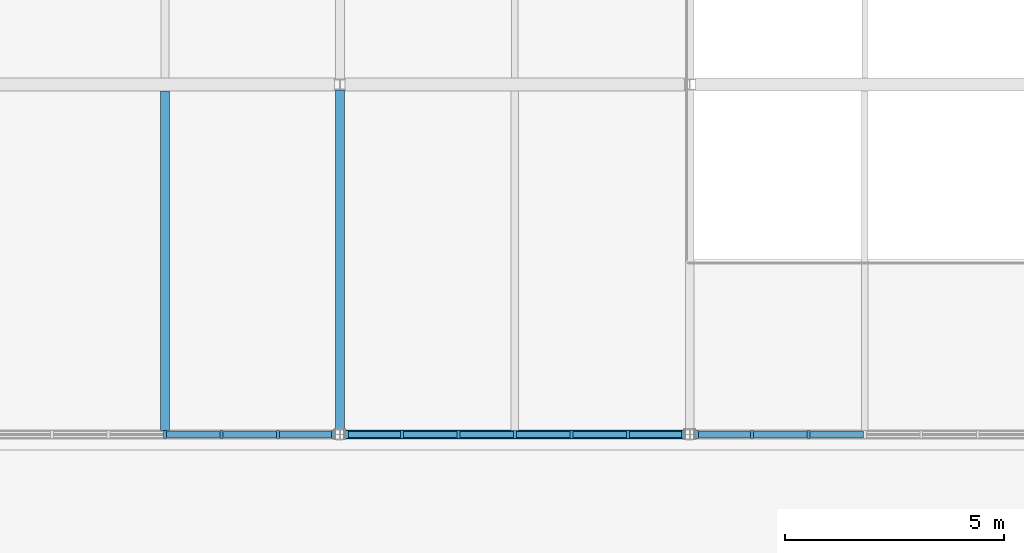
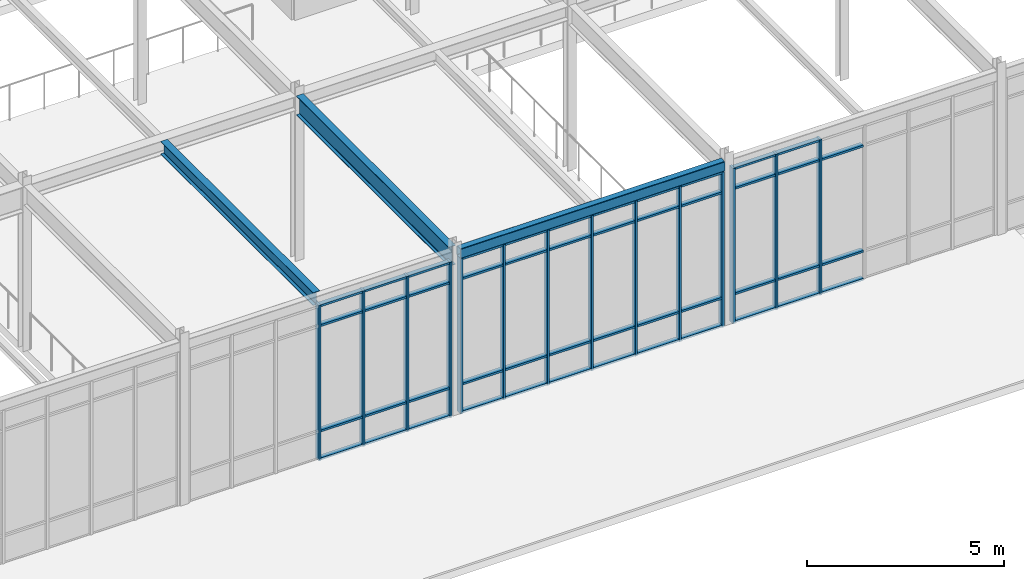
# One storey, part 47 of 184: 61 members, 3 beams, 3 elements without a shape of their own.
"""IFC4 building model written with IfcOpenShell, lengths in metres."""

from ifc_helpers import new_model, si_unit, direction, frame, origin, origin_2d, place, context, subcontext, project, spatial, rectangle, hollow_rectangle, i_section, extrude, material, material_profile, profile_set, type_object, element, aggregate, save


model = new_model("IFC4")

# Units and contexts
model_context = context("Model", 3, precision=1e-05, world=origin(), true_north=direction((0.0, 1.0)))
body_context = subcontext(model_context, "Body", "Model", "MODEL_VIEW")
ifc_project = project(units=[si_unit("LENGTHUNIT", "METRE"), si_unit("AREAUNIT", "SQUARE_METRE"), si_unit("VOLUMEUNIT", "CUBIC_METRE"), si_unit("PLANEANGLEUNIT", "RADIAN"), si_unit("MASSUNIT", "GRAM", prefix="KILO")], contexts=[model_context])

# Site, building, storey
site_placement = place(None, origin())
site = spatial("IfcSite", under=ifc_project, at=site_placement, CompositionType="ELEMENT")
building_placement = place(site_placement, origin())
building = spatial("IfcBuilding", under=site, at=building_placement, Name="Zhaolan Boulevard Law Courts", CompositionType="ELEMENT")
storey_placement = place(building_placement, frame((0.0, 0.0, 5.39990234375)))
storey = spatial("IfcBuildingStorey", under=building, at=storey_placement, Name="L01", CompositionType="ELEMENT", Elevation=5.39990234375)

# Curtain wall, members
ifc_material_1 = material(Name="Thermally broken aluminium and low-E glazing", Category="aluminium")
curtain_wall_type_1 = type_object("IfcCurtainWallType", Name="CURTAIN WALL M13", PredefinedType="USERDEFINED", material=ifc_material_1)
curtain_wall_1_placement = place(storey_placement, origin())
curtain_wall_1 = element("IfcCurtainWall", 1, at=curtain_wall_1_placement, inside=storey, type_object=curtain_wall_type_1, Name="Curtain Wall CW-L01-037", ObjectType="CURTAIN WALL", PredefinedType="USERDEFINED")
ifc_material_2 = material(Name="Fluorocarbon-coated aluminium 6063-T6", Category="aluminium")
ifc_material_profile_1 = material_profile(ifc_material_2, rectangle(XDim=0.179931640625, YDim=0.06494140625, at=origin_2d()), Name="AL65x180")
ifc_profile_set_1 = profile_set([ifc_material_profile_1], Name="Fluorocarbon-coated aluminium 6063-T6")
member_type_1 = type_object("IfcMemberType", Name="CWMULLION 65X180", PredefinedType="MULLION", material=ifc_profile_set_1)
member_1_placement = place(storey_placement, frame((80.0, 6.0, 0.0), z_axis=(0.0, 0.0, 1.0), x_axis=(0.0, 1.0, 0.0)))
member_1 = element("IfcMember", 2, at=member_1_placement, type_object=member_type_1, Name="CW-L01-037 mullion 4", PredefinedType="MULLION", context=body_context, shape_type="SweptSolid", body=[
    extrude(rectangle(XDim=0.179931640625, YDim=0.06494140625, at=origin_2d()), origin(), (0.0, 0.0, 1.0), 4.822998046875),
])
member_2_placement = place(storey_placement, frame((81.291015625, 6.0, 0.0), z_axis=(0.0, 0.0, 1.0), x_axis=(0.0, 1.0, 0.0)))
member_2 = element("IfcMember", 3, at=member_2_placement, type_object=member_type_1, Name="CW-L01-037 mullion 5", PredefinedType="MULLION", context=body_context, shape_type="SweptSolid", body=[
    extrude(rectangle(XDim=0.179931640625, YDim=0.06494140625, at=origin_2d()), origin(), (0.0, 0.0, 1.0), 4.822998046875),
])
member_3_placement = place(storey_placement, frame((82.58203125, 6.0, 0.0), z_axis=(0.0, 0.0, 1.0), x_axis=(0.0, 1.0, 0.0)))
member_3 = element("IfcMember", 4, at=member_3_placement, type_object=member_type_1, Name="CW-L01-037 mullion 6", PredefinedType="MULLION", context=body_context, shape_type="SweptSolid", body=[
    extrude(rectangle(XDim=0.179931640625, YDim=0.06494140625, at=origin_2d()), origin(), (0.0, 0.0, 1.0), 4.822998046875),
])
member_4_placement = place(storey_placement, frame((83.840576171875, 6.0, 0.0), z_axis=(0.0, 0.0, 1.0), x_axis=(0.0, 1.0, 0.0)))
member_4 = element("IfcMember", 5, at=member_4_placement, type_object=member_type_1, Name="CW-L01-037 mullion 7", PredefinedType="MULLION", context=body_context, shape_type="SweptSolid", body=[
    extrude(rectangle(XDim=0.179931640625, YDim=0.06494140625, at=origin_2d()), origin(), (0.0, 0.0, 1.0), 4.822998046875),
])

ifc_material_3 = material(Name="Thermally broken aluminium and low-E glazing", Category="aluminium")
curtain_wall_type_2 = type_object("IfcCurtainWallType", Name="CURTAIN WALL M14", PredefinedType="USERDEFINED", material=ifc_material_3)
curtain_wall_2_placement = place(storey_placement, origin())
curtain_wall_2 = element("IfcCurtainWall", 6, at=curtain_wall_2_placement, inside=storey, type_object=curtain_wall_type_2, Name="Curtain Wall CW-L01-038", ObjectType="CURTAIN WALL", PredefinedType="USERDEFINED")
member_5_placement = place(storey_placement, frame((84.159423828125, 6.0, 0.0), z_axis=(0.0, 0.0, 1.0), x_axis=(0.0, 1.0, 0.0)))
member_5 = element("IfcMember", 7, at=member_5_placement, type_object=member_type_1, Name="CW-L01-038 mullion 1", PredefinedType="MULLION", context=body_context, shape_type="SweptSolid", body=[
    extrude(rectangle(XDim=0.179931640625, YDim=0.06494140625, at=origin_2d()), origin(), (0.0, 0.0, 1.0), 4.822998046875),
])
member_6_placement = place(storey_placement, frame((85.41796875, 6.0, 0.0), z_axis=(0.0, 0.0, 1.0), x_axis=(0.0, 1.0, 0.0)))
member_6 = element("IfcMember", 8, at=member_6_placement, type_object=member_type_1, Name="CW-L01-038 mullion 2", PredefinedType="MULLION", context=body_context, shape_type="SweptSolid", body=[
    extrude(rectangle(XDim=0.179931640625, YDim=0.06494140625, at=origin_2d()), origin(), (0.0, 0.0, 1.0), 4.822998046875),
])
member_7_placement = place(storey_placement, frame((86.708984375, 6.0, 0.0), z_axis=(0.0, 0.0, 1.0), x_axis=(0.0, 1.0, 0.0)))
member_7 = element("IfcMember", 9, at=member_7_placement, type_object=member_type_1, Name="CW-L01-038 mullion 3", PredefinedType="MULLION", context=body_context, shape_type="SweptSolid", body=[
    extrude(rectangle(XDim=0.179931640625, YDim=0.06494140625, at=origin_2d()), origin(), (0.0, 0.0, 1.0), 4.822998046875),
])
member_8_placement = place(storey_placement, frame((88.0, 6.0, 0.0), z_axis=(0.0, 0.0, 1.0), x_axis=(0.0, 1.0, 0.0)))
member_8 = element("IfcMember", 10, at=member_8_placement, type_object=member_type_1, Name="CW-L01-038 mullion 4", PredefinedType="MULLION", context=body_context, shape_type="SweptSolid", body=[
    extrude(rectangle(XDim=0.179931640625, YDim=0.06494140625, at=origin_2d()), origin(), (0.0, 0.0, 1.0), 4.822998046875),
])
member_9_placement = place(storey_placement, frame((89.291015625, 6.0, 0.0), z_axis=(0.0, 0.0, 1.0), x_axis=(0.0, 1.0, 0.0)))
member_9 = element("IfcMember", 11, at=member_9_placement, type_object=member_type_1, Name="CW-L01-038 mullion 5", PredefinedType="MULLION", context=body_context, shape_type="SweptSolid", body=[
    extrude(rectangle(XDim=0.179931640625, YDim=0.06494140625, at=origin_2d()), origin(), (0.0, 0.0, 1.0), 4.822998046875),
])
member_10_placement = place(storey_placement, frame((90.58203125, 6.0, 0.0), z_axis=(0.0, 0.0, 1.0), x_axis=(0.0, 1.0, 0.0)))
member_10 = element("IfcMember", 12, at=member_10_placement, type_object=member_type_1, Name="CW-L01-038 mullion 6", PredefinedType="MULLION", context=body_context, shape_type="SweptSolid", body=[
    extrude(rectangle(XDim=0.179931640625, YDim=0.06494140625, at=origin_2d()), origin(), (0.0, 0.0, 1.0), 4.822998046875),
])
member_11_placement = place(storey_placement, frame((91.840576171875, 6.0, 0.0), z_axis=(0.0, 0.0, 1.0), x_axis=(0.0, 1.0, 0.0)))
member_11 = element("IfcMember", 13, at=member_11_placement, type_object=member_type_1, Name="CW-L01-038 mullion 7", PredefinedType="MULLION", context=body_context, shape_type="SweptSolid", body=[
    extrude(rectangle(XDim=0.179931640625, YDim=0.06494140625, at=origin_2d()), origin(), (0.0, 0.0, 1.0), 4.822998046875),
])

ifc_material_4 = material(Name="Thermally broken aluminium and low-E glazing", Category="aluminium")
curtain_wall_type_3 = type_object("IfcCurtainWallType", Name="CURTAIN WALL M15", PredefinedType="USERDEFINED", material=ifc_material_4)
curtain_wall_3_placement = place(storey_placement, origin())
curtain_wall_3 = element("IfcCurtainWall", 14, at=curtain_wall_3_placement, inside=storey, type_object=curtain_wall_type_3, Name="Curtain Wall CW-L01-039", ObjectType="CURTAIN WALL", PredefinedType="USERDEFINED")
member_12_placement = place(storey_placement, frame((92.159423828125, 6.0, 0.0), z_axis=(0.0, 0.0, 1.0), x_axis=(0.0, 1.0, 0.0)))
member_12 = element("IfcMember", 15, at=member_12_placement, type_object=member_type_1, Name="CW-L01-039 mullion 1", PredefinedType="MULLION", context=body_context, shape_type="SweptSolid", body=[
    extrude(rectangle(XDim=0.179931640625, YDim=0.06494140625, at=origin_2d()), origin(), (0.0, 0.0, 1.0), 4.822998046875),
])
member_13_placement = place(storey_placement, frame((93.41796875, 6.0, 0.0), z_axis=(0.0, 0.0, 1.0), x_axis=(0.0, 1.0, 0.0)))
member_13 = element("IfcMember", 16, at=member_13_placement, type_object=member_type_1, Name="CW-L01-039 mullion 2", PredefinedType="MULLION", context=body_context, shape_type="SweptSolid", body=[
    extrude(rectangle(XDim=0.179931640625, YDim=0.06494140625, at=origin_2d()), origin(), (0.0, 0.0, 1.0), 4.822998046875),
])
member_14_placement = place(storey_placement, frame((94.708984375, 6.0, 0.0), z_axis=(0.0, 0.0, 1.0), x_axis=(0.0, 1.0, 0.0)))
member_14 = element("IfcMember", 17, at=member_14_placement, type_object=member_type_1, Name="CW-L01-039 mullion 3", PredefinedType="MULLION", context=body_context, shape_type="SweptSolid", body=[
    extrude(rectangle(XDim=0.179931640625, YDim=0.06494140625, at=origin_2d()), origin(), (0.0, 0.0, 1.0), 4.822998046875),
])

# Member
ifc_material_5 = material(Name="Fluorocarbon-coated aluminium 6063-T6", Category="aluminium")
ifc_material_profile_2 = material_profile(ifc_material_5, rectangle(XDim=0.139892578125, YDim=0.06494140625, at=origin_2d()), Name="AL65x140")
ifc_profile_set_2 = profile_set([ifc_material_profile_2], Name="Fluorocarbon-coated aluminium 6063-T6")
member_type_2 = type_object("IfcMemberType", Name="CWTRANSOM 65X140", PredefinedType="USERDEFINED", material=ifc_profile_set_2)
member_15_placement = place(storey_placement, frame((80.032470703125, 6.0, 0.03271484375), z_axis=(1.0, 0.0, 0.0), x_axis=(0.0, 1.0, 0.0)))
member_15 = element("IfcMember", 18, at=member_15_placement, type_object=member_type_2, Name="CW-L01-037 transom 4.1", ObjectType="TRANSOM", PredefinedType="USERDEFINED", context=body_context, shape_type="SweptSolid", body=[
    extrude(rectangle(XDim=0.139892578125, YDim=0.06494140625, at=origin_2d()), origin(), (0.0, 0.0, 1.0), 1.22607421875),
])

member_16_placement = place(storey_placement, frame((80.032470703125, 6.0, 0.900146484375), z_axis=(1.0, 0.0, 0.0), x_axis=(0.0, 1.0, 0.0)))
member_16 = element("IfcMember", 19, at=member_16_placement, type_object=member_type_2, Name="CW-L01-037 transom 4.2", ObjectType="TRANSOM", PredefinedType="USERDEFINED", context=body_context, shape_type="SweptSolid", body=[
    extrude(rectangle(XDim=0.139892578125, YDim=0.06494140625, at=origin_2d()), origin(), (0.0, 0.0, 1.0), 1.22607421875),
])

member_17_placement = place(storey_placement, frame((80.032470703125, 6.0, 4.173095703125), z_axis=(1.0, 0.0, 0.0), x_axis=(0.0, 1.0, 0.0)))
member_17 = element("IfcMember", 20, at=member_17_placement, type_object=member_type_2, Name="CW-L01-037 transom 4.3", ObjectType="TRANSOM", PredefinedType="USERDEFINED", context=body_context, shape_type="SweptSolid", body=[
    extrude(rectangle(XDim=0.139892578125, YDim=0.06494140625, at=origin_2d()), origin(), (0.0, 0.0, 1.0), 1.22607421875),
])

member_18_placement = place(storey_placement, frame((80.032470703125, 6.0, 4.79052734375), z_axis=(1.0, 0.0, 0.0), x_axis=(0.0, 1.0, 0.0)))
member_18 = element("IfcMember", 21, at=member_18_placement, type_object=member_type_2, Name="CW-L01-037 transom 4.4", ObjectType="TRANSOM", PredefinedType="USERDEFINED", context=body_context, shape_type="SweptSolid", body=[
    extrude(rectangle(XDim=0.139892578125, YDim=0.06494140625, at=origin_2d()), origin(), (0.0, 0.0, 1.0), 1.22607421875),
])

member_19_placement = place(storey_placement, frame((81.323486328125, 6.0, 0.03271484375), z_axis=(1.0, 0.0, 0.0), x_axis=(0.0, 1.0, 0.0)))
member_19 = element("IfcMember", 22, at=member_19_placement, type_object=member_type_2, Name="CW-L01-037 transom 5.1", ObjectType="TRANSOM", PredefinedType="USERDEFINED", context=body_context, shape_type="SweptSolid", body=[
    extrude(rectangle(XDim=0.139892578125, YDim=0.06494140625, at=origin_2d()), origin(), (0.0, 0.0, 1.0), 1.22607421875),
])

member_20_placement = place(storey_placement, frame((81.323486328125, 6.0, 0.900146484375), z_axis=(1.0, 0.0, 0.0), x_axis=(0.0, 1.0, 0.0)))
member_20 = element("IfcMember", 23, at=member_20_placement, type_object=member_type_2, Name="CW-L01-037 transom 5.2", ObjectType="TRANSOM", PredefinedType="USERDEFINED", context=body_context, shape_type="SweptSolid", body=[
    extrude(rectangle(XDim=0.139892578125, YDim=0.06494140625, at=origin_2d()), origin(), (0.0, 0.0, 1.0), 1.22607421875),
])

member_21_placement = place(storey_placement, frame((81.323486328125, 6.0, 4.173095703125), z_axis=(1.0, 0.0, 0.0), x_axis=(0.0, 1.0, 0.0)))
member_21 = element("IfcMember", 24, at=member_21_placement, type_object=member_type_2, Name="CW-L01-037 transom 5.3", ObjectType="TRANSOM", PredefinedType="USERDEFINED", context=body_context, shape_type="SweptSolid", body=[
    extrude(rectangle(XDim=0.139892578125, YDim=0.06494140625, at=origin_2d()), origin(), (0.0, 0.0, 1.0), 1.22607421875),
])

member_22_placement = place(storey_placement, frame((81.323486328125, 6.0, 4.79052734375), z_axis=(1.0, 0.0, 0.0), x_axis=(0.0, 1.0, 0.0)))
member_22 = element("IfcMember", 25, at=member_22_placement, type_object=member_type_2, Name="CW-L01-037 transom 5.4", ObjectType="TRANSOM", PredefinedType="USERDEFINED", context=body_context, shape_type="SweptSolid", body=[
    extrude(rectangle(XDim=0.139892578125, YDim=0.06494140625, at=origin_2d()), origin(), (0.0, 0.0, 1.0), 1.22607421875),
])

member_23_placement = place(storey_placement, frame((82.614501953125, 6.0, 0.03271484375), z_axis=(1.0, 0.0, 0.0), x_axis=(0.0, 1.0, 0.0)))
member_23 = element("IfcMember", 26, at=member_23_placement, type_object=member_type_2, Name="CW-L01-037 transom 6.1", ObjectType="TRANSOM", PredefinedType="USERDEFINED", context=body_context, shape_type="SweptSolid", body=[
    extrude(rectangle(XDim=0.139892578125, YDim=0.06494140625, at=origin_2d()), origin(), (0.0, 0.0, 1.0), 1.193603515625),
])

member_24_placement = place(storey_placement, frame((82.614501953125, 6.0, 0.900146484375), z_axis=(1.0, 0.0, 0.0), x_axis=(0.0, 1.0, 0.0)))
member_24 = element("IfcMember", 27, at=member_24_placement, type_object=member_type_2, Name="CW-L01-037 transom 6.2", ObjectType="TRANSOM", PredefinedType="USERDEFINED", context=body_context, shape_type="SweptSolid", body=[
    extrude(rectangle(XDim=0.139892578125, YDim=0.06494140625, at=origin_2d()), origin(), (0.0, 0.0, 1.0), 1.193603515625),
])

member_25_placement = place(storey_placement, frame((82.614501953125, 6.0, 4.173095703125), z_axis=(1.0, 0.0, 0.0), x_axis=(0.0, 1.0, 0.0)))
member_25 = element("IfcMember", 28, at=member_25_placement, type_object=member_type_2, Name="CW-L01-037 transom 6.3", ObjectType="TRANSOM", PredefinedType="USERDEFINED", context=body_context, shape_type="SweptSolid", body=[
    extrude(rectangle(XDim=0.139892578125, YDim=0.06494140625, at=origin_2d()), origin(), (0.0, 0.0, 1.0), 1.193603515625),
])

member_26_placement = place(storey_placement, frame((82.614501953125, 6.0, 4.79052734375), z_axis=(1.0, 0.0, 0.0), x_axis=(0.0, 1.0, 0.0)))
member_26 = element("IfcMember", 29, at=member_26_placement, type_object=member_type_2, Name="CW-L01-037 transom 6.4", ObjectType="TRANSOM", PredefinedType="USERDEFINED", context=body_context, shape_type="SweptSolid", body=[
    extrude(rectangle(XDim=0.139892578125, YDim=0.06494140625, at=origin_2d()), origin(), (0.0, 0.0, 1.0), 1.193603515625),
])

aggregate(curtain_wall_1, [member_1, member_2, member_3, member_4, member_15, member_16, member_17, member_18, member_19, member_20, member_21, member_22, member_23, member_24, member_25, member_26])

member_27_placement = place(storey_placement, frame((84.19189453125, 6.0, 0.03271484375), z_axis=(1.0, 0.0, 0.0), x_axis=(0.0, 1.0, 0.0)))
member_27 = element("IfcMember", 30, at=member_27_placement, type_object=member_type_2, Name="CW-L01-038 transom 1.1", ObjectType="TRANSOM", PredefinedType="USERDEFINED", context=body_context, shape_type="SweptSolid", body=[
    extrude(rectangle(XDim=0.139892578125, YDim=0.06494140625, at=origin_2d()), origin(), (0.0, 0.0, 1.0), 1.193603515625),
])

member_28_placement = place(storey_placement, frame((84.19189453125, 6.0, 0.900146484375), z_axis=(1.0, 0.0, 0.0), x_axis=(0.0, 1.0, 0.0)))
member_28 = element("IfcMember", 31, at=member_28_placement, type_object=member_type_2, Name="CW-L01-038 transom 1.2", ObjectType="TRANSOM", PredefinedType="USERDEFINED", context=body_context, shape_type="SweptSolid", body=[
    extrude(rectangle(XDim=0.139892578125, YDim=0.06494140625, at=origin_2d()), origin(), (0.0, 0.0, 1.0), 1.193603515625),
])

member_29_placement = place(storey_placement, frame((84.19189453125, 6.0, 4.173095703125), z_axis=(1.0, 0.0, 0.0), x_axis=(0.0, 1.0, 0.0)))
member_29 = element("IfcMember", 32, at=member_29_placement, type_object=member_type_2, Name="CW-L01-038 transom 1.3", ObjectType="TRANSOM", PredefinedType="USERDEFINED", context=body_context, shape_type="SweptSolid", body=[
    extrude(rectangle(XDim=0.139892578125, YDim=0.06494140625, at=origin_2d()), origin(), (0.0, 0.0, 1.0), 1.193603515625),
])

member_30_placement = place(storey_placement, frame((84.19189453125, 6.0, 4.79052734375), z_axis=(1.0, 0.0, 0.0), x_axis=(0.0, 1.0, 0.0)))
member_30 = element("IfcMember", 33, at=member_30_placement, type_object=member_type_2, Name="CW-L01-038 transom 1.4", ObjectType="TRANSOM", PredefinedType="USERDEFINED", context=body_context, shape_type="SweptSolid", body=[
    extrude(rectangle(XDim=0.139892578125, YDim=0.06494140625, at=origin_2d()), origin(), (0.0, 0.0, 1.0), 1.193603515625),
])

member_31_placement = place(storey_placement, frame((85.450439453125, 6.0, 0.03271484375), z_axis=(1.0, 0.0, 0.0), x_axis=(0.0, 1.0, 0.0)))
member_31 = element("IfcMember", 34, at=member_31_placement, type_object=member_type_2, Name="CW-L01-038 transom 2.1", ObjectType="TRANSOM", PredefinedType="USERDEFINED", context=body_context, shape_type="SweptSolid", body=[
    extrude(rectangle(XDim=0.139892578125, YDim=0.06494140625, at=origin_2d()), origin(), (0.0, 0.0, 1.0), 1.22607421875),
])

member_32_placement = place(storey_placement, frame((85.450439453125, 6.0, 0.900146484375), z_axis=(1.0, 0.0, 0.0), x_axis=(0.0, 1.0, 0.0)))
member_32 = element("IfcMember", 35, at=member_32_placement, type_object=member_type_2, Name="CW-L01-038 transom 2.2", ObjectType="TRANSOM", PredefinedType="USERDEFINED", context=body_context, shape_type="SweptSolid", body=[
    extrude(rectangle(XDim=0.139892578125, YDim=0.06494140625, at=origin_2d()), origin(), (0.0, 0.0, 1.0), 1.22607421875),
])

member_33_placement = place(storey_placement, frame((85.450439453125, 6.0, 4.173095703125), z_axis=(1.0, 0.0, 0.0), x_axis=(0.0, 1.0, 0.0)))
member_33 = element("IfcMember", 36, at=member_33_placement, type_object=member_type_2, Name="CW-L01-038 transom 2.3", ObjectType="TRANSOM", PredefinedType="USERDEFINED", context=body_context, shape_type="SweptSolid", body=[
    extrude(rectangle(XDim=0.139892578125, YDim=0.06494140625, at=origin_2d()), origin(), (0.0, 0.0, 1.0), 1.22607421875),
])

member_34_placement = place(storey_placement, frame((85.450439453125, 6.0, 4.79052734375), z_axis=(1.0, 0.0, 0.0), x_axis=(0.0, 1.0, 0.0)))
member_34 = element("IfcMember", 37, at=member_34_placement, type_object=member_type_2, Name="CW-L01-038 transom 2.4", ObjectType="TRANSOM", PredefinedType="USERDEFINED", context=body_context, shape_type="SweptSolid", body=[
    extrude(rectangle(XDim=0.139892578125, YDim=0.06494140625, at=origin_2d()), origin(), (0.0, 0.0, 1.0), 1.22607421875),
])

member_35_placement = place(storey_placement, frame((86.741455078125, 6.0, 0.03271484375), z_axis=(1.0, 0.0, 0.0), x_axis=(0.0, 1.0, 0.0)))
member_35 = element("IfcMember", 38, at=member_35_placement, type_object=member_type_2, Name="CW-L01-038 transom 3.1", ObjectType="TRANSOM", PredefinedType="USERDEFINED", context=body_context, shape_type="SweptSolid", body=[
    extrude(rectangle(XDim=0.139892578125, YDim=0.06494140625, at=origin_2d()), origin(), (0.0, 0.0, 1.0), 1.22607421875),
])

member_36_placement = place(storey_placement, frame((86.741455078125, 6.0, 0.900146484375), z_axis=(1.0, 0.0, 0.0), x_axis=(0.0, 1.0, 0.0)))
member_36 = element("IfcMember", 39, at=member_36_placement, type_object=member_type_2, Name="CW-L01-038 transom 3.2", ObjectType="TRANSOM", PredefinedType="USERDEFINED", context=body_context, shape_type="SweptSolid", body=[
    extrude(rectangle(XDim=0.139892578125, YDim=0.06494140625, at=origin_2d()), origin(), (0.0, 0.0, 1.0), 1.22607421875),
])

member_37_placement = place(storey_placement, frame((86.741455078125, 6.0, 4.173095703125), z_axis=(1.0, 0.0, 0.0), x_axis=(0.0, 1.0, 0.0)))
member_37 = element("IfcMember", 40, at=member_37_placement, type_object=member_type_2, Name="CW-L01-038 transom 3.3", ObjectType="TRANSOM", PredefinedType="USERDEFINED", context=body_context, shape_type="SweptSolid", body=[
    extrude(rectangle(XDim=0.139892578125, YDim=0.06494140625, at=origin_2d()), origin(), (0.0, 0.0, 1.0), 1.22607421875),
])

member_38_placement = place(storey_placement, frame((86.741455078125, 6.0, 4.79052734375), z_axis=(1.0, 0.0, 0.0), x_axis=(0.0, 1.0, 0.0)))
member_38 = element("IfcMember", 41, at=member_38_placement, type_object=member_type_2, Name="CW-L01-038 transom 3.4", ObjectType="TRANSOM", PredefinedType="USERDEFINED", context=body_context, shape_type="SweptSolid", body=[
    extrude(rectangle(XDim=0.139892578125, YDim=0.06494140625, at=origin_2d()), origin(), (0.0, 0.0, 1.0), 1.22607421875),
])

member_39_placement = place(storey_placement, frame((88.032470703125, 6.0, 0.03271484375), z_axis=(1.0, 0.0, 0.0), x_axis=(0.0, 1.0, 0.0)))
member_39 = element("IfcMember", 42, at=member_39_placement, type_object=member_type_2, Name="CW-L01-038 transom 4.1", ObjectType="TRANSOM", PredefinedType="USERDEFINED", context=body_context, shape_type="SweptSolid", body=[
    extrude(rectangle(XDim=0.139892578125, YDim=0.06494140625, at=origin_2d()), origin(), (0.0, 0.0, 1.0), 1.22607421875),
])

member_40_placement = place(storey_placement, frame((88.032470703125, 6.0, 0.900146484375), z_axis=(1.0, 0.0, 0.0), x_axis=(0.0, 1.0, 0.0)))
member_40 = element("IfcMember", 43, at=member_40_placement, type_object=member_type_2, Name="CW-L01-038 transom 4.2", ObjectType="TRANSOM", PredefinedType="USERDEFINED", context=body_context, shape_type="SweptSolid", body=[
    extrude(rectangle(XDim=0.139892578125, YDim=0.06494140625, at=origin_2d()), origin(), (0.0, 0.0, 1.0), 1.22607421875),
])

member_41_placement = place(storey_placement, frame((88.032470703125, 6.0, 4.173095703125), z_axis=(1.0, 0.0, 0.0), x_axis=(0.0, 1.0, 0.0)))
member_41 = element("IfcMember", 44, at=member_41_placement, type_object=member_type_2, Name="CW-L01-038 transom 4.3", ObjectType="TRANSOM", PredefinedType="USERDEFINED", context=body_context, shape_type="SweptSolid", body=[
    extrude(rectangle(XDim=0.139892578125, YDim=0.06494140625, at=origin_2d()), origin(), (0.0, 0.0, 1.0), 1.22607421875),
])

member_42_placement = place(storey_placement, frame((88.032470703125, 6.0, 4.79052734375), z_axis=(1.0, 0.0, 0.0), x_axis=(0.0, 1.0, 0.0)))
member_42 = element("IfcMember", 45, at=member_42_placement, type_object=member_type_2, Name="CW-L01-038 transom 4.4", ObjectType="TRANSOM", PredefinedType="USERDEFINED", context=body_context, shape_type="SweptSolid", body=[
    extrude(rectangle(XDim=0.139892578125, YDim=0.06494140625, at=origin_2d()), origin(), (0.0, 0.0, 1.0), 1.22607421875),
])

member_43_placement = place(storey_placement, frame((89.323486328125, 6.0, 0.03271484375), z_axis=(1.0, 0.0, 0.0), x_axis=(0.0, 1.0, 0.0)))
member_43 = element("IfcMember", 46, at=member_43_placement, type_object=member_type_2, Name="CW-L01-038 transom 5.1", ObjectType="TRANSOM", PredefinedType="USERDEFINED", context=body_context, shape_type="SweptSolid", body=[
    extrude(rectangle(XDim=0.139892578125, YDim=0.06494140625, at=origin_2d()), origin(), (0.0, 0.0, 1.0), 1.22607421875),
])

member_44_placement = place(storey_placement, frame((89.323486328125, 6.0, 0.900146484375), z_axis=(1.0, 0.0, 0.0), x_axis=(0.0, 1.0, 0.0)))
member_44 = element("IfcMember", 47, at=member_44_placement, type_object=member_type_2, Name="CW-L01-038 transom 5.2", ObjectType="TRANSOM", PredefinedType="USERDEFINED", context=body_context, shape_type="SweptSolid", body=[
    extrude(rectangle(XDim=0.139892578125, YDim=0.06494140625, at=origin_2d()), origin(), (0.0, 0.0, 1.0), 1.22607421875),
])

member_45_placement = place(storey_placement, frame((89.323486328125, 6.0, 4.173095703125), z_axis=(1.0, 0.0, 0.0), x_axis=(0.0, 1.0, 0.0)))
member_45 = element("IfcMember", 48, at=member_45_placement, type_object=member_type_2, Name="CW-L01-038 transom 5.3", ObjectType="TRANSOM", PredefinedType="USERDEFINED", context=body_context, shape_type="SweptSolid", body=[
    extrude(rectangle(XDim=0.139892578125, YDim=0.06494140625, at=origin_2d()), origin(), (0.0, 0.0, 1.0), 1.22607421875),
])

member_46_placement = place(storey_placement, frame((89.323486328125, 6.0, 4.79052734375), z_axis=(1.0, 0.0, 0.0), x_axis=(0.0, 1.0, 0.0)))
member_46 = element("IfcMember", 49, at=member_46_placement, type_object=member_type_2, Name="CW-L01-038 transom 5.4", ObjectType="TRANSOM", PredefinedType="USERDEFINED", context=body_context, shape_type="SweptSolid", body=[
    extrude(rectangle(XDim=0.139892578125, YDim=0.06494140625, at=origin_2d()), origin(), (0.0, 0.0, 1.0), 1.22607421875),
])

member_47_placement = place(storey_placement, frame((90.614501953125, 6.0, 0.03271484375), z_axis=(1.0, 0.0, 0.0), x_axis=(0.0, 1.0, 0.0)))
member_47 = element("IfcMember", 50, at=member_47_placement, type_object=member_type_2, Name="CW-L01-038 transom 6.1", ObjectType="TRANSOM", PredefinedType="USERDEFINED", context=body_context, shape_type="SweptSolid", body=[
    extrude(rectangle(XDim=0.139892578125, YDim=0.06494140625, at=origin_2d()), origin(), (0.0, 0.0, 1.0), 1.193603515625),
])

member_48_placement = place(storey_placement, frame((90.614501953125, 6.0, 0.900146484375), z_axis=(1.0, 0.0, 0.0), x_axis=(0.0, 1.0, 0.0)))
member_48 = element("IfcMember", 51, at=member_48_placement, type_object=member_type_2, Name="CW-L01-038 transom 6.2", ObjectType="TRANSOM", PredefinedType="USERDEFINED", context=body_context, shape_type="SweptSolid", body=[
    extrude(rectangle(XDim=0.139892578125, YDim=0.06494140625, at=origin_2d()), origin(), (0.0, 0.0, 1.0), 1.193603515625),
])

member_49_placement = place(storey_placement, frame((90.614501953125, 6.0, 4.173095703125), z_axis=(1.0, 0.0, 0.0), x_axis=(0.0, 1.0, 0.0)))
member_49 = element("IfcMember", 52, at=member_49_placement, type_object=member_type_2, Name="CW-L01-038 transom 6.3", ObjectType="TRANSOM", PredefinedType="USERDEFINED", context=body_context, shape_type="SweptSolid", body=[
    extrude(rectangle(XDim=0.139892578125, YDim=0.06494140625, at=origin_2d()), origin(), (0.0, 0.0, 1.0), 1.193603515625),
])

member_50_placement = place(storey_placement, frame((90.614501953125, 6.0, 4.79052734375), z_axis=(1.0, 0.0, 0.0), x_axis=(0.0, 1.0, 0.0)))
member_50 = element("IfcMember", 53, at=member_50_placement, type_object=member_type_2, Name="CW-L01-038 transom 6.4", ObjectType="TRANSOM", PredefinedType="USERDEFINED", context=body_context, shape_type="SweptSolid", body=[
    extrude(rectangle(XDim=0.139892578125, YDim=0.06494140625, at=origin_2d()), origin(), (0.0, 0.0, 1.0), 1.193603515625),
])

aggregate(curtain_wall_2, [member_5, member_6, member_7, member_8, member_9, member_10, member_11, member_27, member_28, member_29, member_30, member_31, member_32, member_33, member_34, member_35, member_36, member_37, member_38, member_39, member_40, member_41, member_42, member_43, member_44, member_45, member_46, member_47, member_48, member_49, member_50])

member_51_placement = place(storey_placement, frame((92.19189453125, 6.0, 0.03271484375), z_axis=(1.0, 0.0, 0.0), x_axis=(0.0, 1.0, 0.0)))
member_51 = element("IfcMember", 54, at=member_51_placement, type_object=member_type_2, Name="CW-L01-039 transom 1.1", ObjectType="TRANSOM", PredefinedType="USERDEFINED", context=body_context, shape_type="SweptSolid", body=[
    extrude(rectangle(XDim=0.139892578125, YDim=0.06494140625, at=origin_2d()), origin(), (0.0, 0.0, 1.0), 1.193603515625),
])

member_52_placement = place(storey_placement, frame((92.19189453125, 6.0, 0.900146484375), z_axis=(1.0, 0.0, 0.0), x_axis=(0.0, 1.0, 0.0)))
member_52 = element("IfcMember", 55, at=member_52_placement, type_object=member_type_2, Name="CW-L01-039 transom 1.2", ObjectType="TRANSOM", PredefinedType="USERDEFINED", context=body_context, shape_type="SweptSolid", body=[
    extrude(rectangle(XDim=0.139892578125, YDim=0.06494140625, at=origin_2d()), origin(), (0.0, 0.0, 1.0), 1.193603515625),
])

member_53_placement = place(storey_placement, frame((92.19189453125, 6.0, 4.173095703125), z_axis=(1.0, 0.0, 0.0), x_axis=(0.0, 1.0, 0.0)))
member_53 = element("IfcMember", 56, at=member_53_placement, type_object=member_type_2, Name="CW-L01-039 transom 1.3", ObjectType="TRANSOM", PredefinedType="USERDEFINED", context=body_context, shape_type="SweptSolid", body=[
    extrude(rectangle(XDim=0.139892578125, YDim=0.06494140625, at=origin_2d()), origin(), (0.0, 0.0, 1.0), 1.193603515625),
])

member_54_placement = place(storey_placement, frame((92.19189453125, 6.0, 4.79052734375), z_axis=(1.0, 0.0, 0.0), x_axis=(0.0, 1.0, 0.0)))
member_54 = element("IfcMember", 57, at=member_54_placement, type_object=member_type_2, Name="CW-L01-039 transom 1.4", ObjectType="TRANSOM", PredefinedType="USERDEFINED", context=body_context, shape_type="SweptSolid", body=[
    extrude(rectangle(XDim=0.139892578125, YDim=0.06494140625, at=origin_2d()), origin(), (0.0, 0.0, 1.0), 1.193603515625),
])

member_55_placement = place(storey_placement, frame((93.450439453125, 6.0, 0.03271484375), z_axis=(1.0, 0.0, 0.0), x_axis=(0.0, 1.0, 0.0)))
member_55 = element("IfcMember", 58, at=member_55_placement, type_object=member_type_2, Name="CW-L01-039 transom 2.1", ObjectType="TRANSOM", PredefinedType="USERDEFINED", context=body_context, shape_type="SweptSolid", body=[
    extrude(rectangle(XDim=0.139892578125, YDim=0.06494140625, at=origin_2d()), origin(), (0.0, 0.0, 1.0), 1.22607421875),
])

member_56_placement = place(storey_placement, frame((93.450439453125, 6.0, 0.900146484375), z_axis=(1.0, 0.0, 0.0), x_axis=(0.0, 1.0, 0.0)))
member_56 = element("IfcMember", 59, at=member_56_placement, type_object=member_type_2, Name="CW-L01-039 transom 2.2", ObjectType="TRANSOM", PredefinedType="USERDEFINED", context=body_context, shape_type="SweptSolid", body=[
    extrude(rectangle(XDim=0.139892578125, YDim=0.06494140625, at=origin_2d()), origin(), (0.0, 0.0, 1.0), 1.22607421875),
])

member_57_placement = place(storey_placement, frame((93.450439453125, 6.0, 4.173095703125), z_axis=(1.0, 0.0, 0.0), x_axis=(0.0, 1.0, 0.0)))
member_57 = element("IfcMember", 60, at=member_57_placement, type_object=member_type_2, Name="CW-L01-039 transom 2.3", ObjectType="TRANSOM", PredefinedType="USERDEFINED", context=body_context, shape_type="SweptSolid", body=[
    extrude(rectangle(XDim=0.139892578125, YDim=0.06494140625, at=origin_2d()), origin(), (0.0, 0.0, 1.0), 1.22607421875),
])

member_58_placement = place(storey_placement, frame((93.450439453125, 6.0, 4.79052734375), z_axis=(1.0, 0.0, 0.0), x_axis=(0.0, 1.0, 0.0)))
member_58 = element("IfcMember", 61, at=member_58_placement, type_object=member_type_2, Name="CW-L01-039 transom 2.4", ObjectType="TRANSOM", PredefinedType="USERDEFINED", context=body_context, shape_type="SweptSolid", body=[
    extrude(rectangle(XDim=0.139892578125, YDim=0.06494140625, at=origin_2d()), origin(), (0.0, 0.0, 1.0), 1.22607421875),
])

member_59_placement = place(storey_placement, frame((94.741455078125, 6.0, 0.03271484375), z_axis=(1.0, 0.0, 0.0), x_axis=(0.0, 1.0, 0.0)))
member_59 = element("IfcMember", 62, at=member_59_placement, type_object=member_type_2, Name="CW-L01-039 transom 3.1", ObjectType="TRANSOM", PredefinedType="USERDEFINED", context=body_context, shape_type="SweptSolid", body=[
    extrude(rectangle(XDim=0.139892578125, YDim=0.06494140625, at=origin_2d()), origin(), (0.0, 0.0, 1.0), 1.22607421875),
])

member_60_placement = place(storey_placement, frame((94.741455078125, 6.0, 0.900146484375), z_axis=(1.0, 0.0, 0.0), x_axis=(0.0, 1.0, 0.0)))
member_60 = element("IfcMember", 63, at=member_60_placement, type_object=member_type_2, Name="CW-L01-039 transom 3.2", ObjectType="TRANSOM", PredefinedType="USERDEFINED", context=body_context, shape_type="SweptSolid", body=[
    extrude(rectangle(XDim=0.139892578125, YDim=0.06494140625, at=origin_2d()), origin(), (0.0, 0.0, 1.0), 1.22607421875),
])

member_61_placement = place(storey_placement, frame((94.741455078125, 6.0, 4.173095703125), z_axis=(1.0, 0.0, 0.0), x_axis=(0.0, 1.0, 0.0)))
member_61 = element("IfcMember", 64, at=member_61_placement, type_object=member_type_2, Name="CW-L01-039 transom 3.3", ObjectType="TRANSOM", PredefinedType="USERDEFINED", context=body_context, shape_type="SweptSolid", body=[
    extrude(rectangle(XDim=0.139892578125, YDim=0.06494140625, at=origin_2d()), origin(), (0.0, 0.0, 1.0), 1.22607421875),
])

aggregate(curtain_wall_3, [member_12, member_13, member_14, member_51, member_52, member_53, member_54, member_55, member_56, member_57, member_58, member_59, member_60, member_61])

# Beams
ifc_material_6 = material(Name="Structural steel Q355B", Category="steel")
ifc_material_profile_3 = material_profile(ifc_material_6, i_section(OverallWidth=0.199951171875, OverallDepth=0.60009765625, WebThickness=0.010986328125, FlangeThickness=0.01708984375, FilletRadius=0.02001953125, at=origin_2d()), Name="HN600x200")
ifc_profile_set_3 = profile_set([ifc_material_profile_3], Name="Structural steel Q355B")
beam_type_1 = type_object("IfcBeamType", Name="GIRDER HN600", PredefinedType="BEAM", material=ifc_profile_set_3)
beam_1_placement = place(storey_placement, frame((84.0, 6.12109375, 4.838134765625), z_axis=(0.0, 1.0, 0.0), x_axis=(-1.0, 0.0, 0.0)))
element("IfcBeam", 65, at=beam_1_placement, inside=storey, type_object=beam_type_1, Name="Beam BY-L02-11-B-C", PredefinedType="BEAM", context=body_context, shape_type="SweptSolid", body=[
    extrude(i_section(OverallWidth=0.199951171875, OverallDepth=0.60009765625, WebThickness=0.010986328125, FlangeThickness=0.01708984375, FilletRadius=0.02001953125, at=origin_2d()), origin(), (0.0, 0.0, 1.0), 7.7578125),
])
ifc_material_7 = material(Name="Structural steel Q355B", Category="steel")
ifc_material_profile_4 = material_profile(ifc_material_7, i_section(OverallWidth=0.199951171875, OverallDepth=0.39990234375, WebThickness=0.008056640625, FlangeThickness=0.012939453125, FilletRadius=0.013916015625, at=origin_2d()), Name="HN400x200")
ifc_profile_set_4 = profile_set([ifc_material_profile_4], Name="Structural steel Q355B")
beam_type_2 = type_object("IfcBeamType", Name="JOIST HN400", PredefinedType="JOIST", material=ifc_profile_set_4)
beam_2_placement = place(storey_placement, frame((80.0, 6.095947265625, 4.93798828125), z_axis=(0.0, 1.0, 0.0), x_axis=(-1.0, 0.0, 0.0)))
element("IfcBeam", 66, at=beam_2_placement, inside=storey, type_object=beam_type_2, Name="Composite Joist J-L02-10B", PredefinedType="JOIST", context=body_context, shape_type="SweptSolid", body=[
    extrude(i_section(OverallWidth=0.199951171875, OverallDepth=0.39990234375, WebThickness=0.008056640625, FlangeThickness=0.012939453125, FilletRadius=0.013916015625, at=origin_2d()), origin(), (0.0, 0.0, 1.0), 7.758056640625),
])
ifc_material_8 = material(Name="Structural steel Q355B", Category="steel")
ifc_material_profile_5 = material_profile(ifc_material_8, hollow_rectangle(XDim=0.199951171875, YDim=0.300048828125, WallThickness=0.011962890625, InnerFilletRadius=0.011962890625, OuterFilletRadius=0.02392578125, at=origin_2d()), Name="HSS300x200x12")
ifc_profile_set_5 = profile_set([ifc_material_profile_5], Name="Structural steel Q355B")
beam_type_3 = type_object("IfcBeamType", Name="SPANDREL HSS300", PredefinedType="SPANDREL", material=ifc_profile_set_5)
beam_3_placement = place(storey_placement, frame((84.12109375, 6.0, 4.988037109375), z_axis=(1.0, 0.0, 0.0), x_axis=(0.0, 1.0, 0.0)))
element("IfcBeam", 67, at=beam_3_placement, inside=storey, type_object=beam_type_3, Name="Beam BX-L02-11-12-B", PredefinedType="SPANDREL", context=body_context, shape_type="SweptSolid", body=[
    extrude(hollow_rectangle(XDim=0.199951171875, YDim=0.300048828125, WallThickness=0.011962890625, InnerFilletRadius=0.011962890625, OuterFilletRadius=0.02392578125, at=origin_2d()), origin(), (0.0, 0.0, 1.0), 7.7578125),
])

save(model, "model.ifc")
